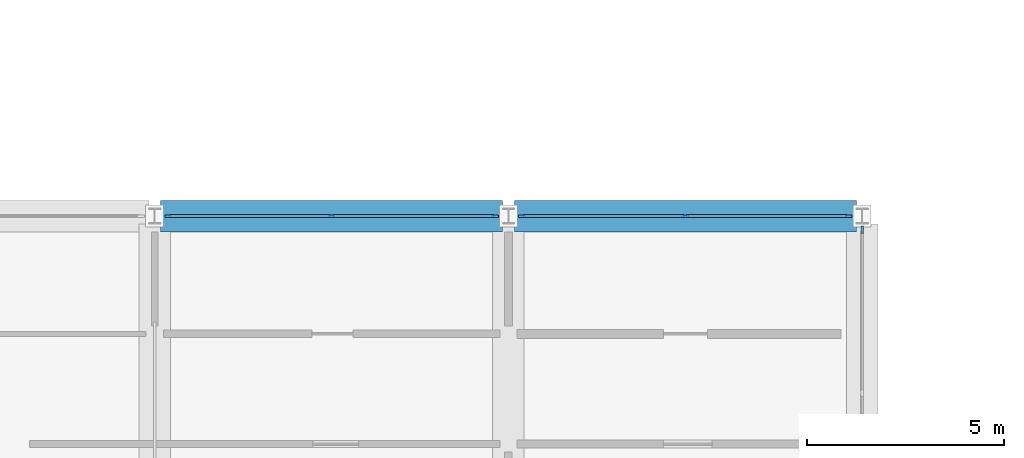
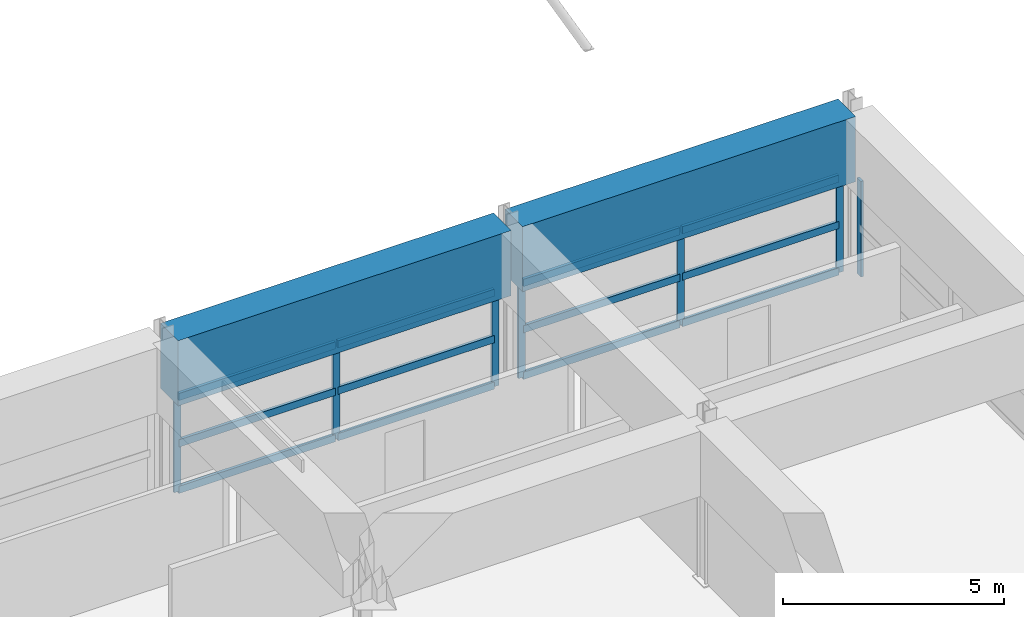
# One storey, part 7 of 56: 19 members, 2 beams, 3 elements without a shape of their own.
"""IFC4 building model written with IfcOpenShell, lengths in metres."""

from ifc_helpers import new_model, si_unit, direction, frame, origin, origin_2d, place, context, subcontext, project, spatial, rectangle, extrude, material, material_profile, profile_set, type_object, element, aggregate, save


model = new_model("IFC4")

# Units and contexts
model_context = context("Model", 3, precision=1e-05, world=origin(), true_north=direction((0.0, 1.0)))
body_context = subcontext(model_context, "Body", "Model", "MODEL_VIEW")
ifc_project = project(units=[si_unit("LENGTHUNIT", "METRE"), si_unit("AREAUNIT", "SQUARE_METRE"), si_unit("VOLUMEUNIT", "CUBIC_METRE"), si_unit("PLANEANGLEUNIT", "RADIAN"), si_unit("MASSUNIT", "GRAM", prefix="KILO")], contexts=[model_context])

# Site, building, storey
site_placement = place(None, origin())
site = spatial("IfcSite", under=ifc_project, at=site_placement, CompositionType="ELEMENT")
building_placement = place(site_placement, origin())
building = spatial("IfcBuilding", under=site, at=building_placement, Name="Bozkorgan Art Gallery", CompositionType="ELEMENT")
storey_placement = place(building_placement, frame((0.0, 0.0, 24.0)))
storey = spatial("IfcBuildingStorey", under=building, at=storey_placement, Name="L05", CompositionType="ELEMENT", Elevation=24.0)

# Beams
ifc_material_1 = material(Name="Concrete C35/45", Category="concrete")
ifc_material_profile_1 = material_profile(ifc_material_1, rectangle(XDim=0.800048828125, YDim=1.800048828125, at=origin_2d()), Name="RC 800x1800")
ifc_profile_set_1 = profile_set([ifc_material_profile_1], Name="Concrete C35/45")
beam_type = type_object("IfcBeamType", Name="BEAM-BM-77", PredefinedType="BEAM", material=ifc_profile_set_1)
for number, where, z_axis, x_axis, name in (
    (1, (47.14990234375, 20.0, 3.580078125), (1.0, 0.0, 0.0), (0.0, 1.0, 0.0), "V1 L05 beam X (47-56, 20.0)"),
    (2, (56.14990234375, 20.0, 3.580078125), (1.0, 0.0, 0.0), (0.0, 1.0, 0.0), "V1 L05 beam X (56-65, 20.0)"),
):
    element("IfcBeam", number, at=place(storey_placement, frame(where, z_axis=z_axis, x_axis=x_axis)), inside=storey, type_object=beam_type, Name=name, PredefinedType="BEAM", context=body_context, shape_type="SweptSolid", body=[
        extrude(rectangle(XDim=0.800048828125, YDim=1.800048828125, at=origin_2d()), origin(), (0.0, 0.0, 1.0), 8.7001953125),
    ])

# Curtain wall, members
ifc_material_2 = material(Name="Anodised Bronze Aluminium", Category="aluminium")
curtain_wall_type = type_object("IfcCurtainWallType", Name="CW-CW-23", PredefinedType="NOTDEFINED", material=ifc_material_2)
curtain_wall_1_placement = place(storey_placement, origin())
curtain_wall_1 = element("IfcCurtainWall", 3, at=curtain_wall_1_placement, inside=storey, type_object=curtain_wall_type, Name="L05 unitised curtain wall CW-V1-L05-1N-12", PredefinedType="NOTDEFINED")
ifc_material_profile_2 = material_profile(ifc_material_2, rectangle(XDim=0.06494140625, YDim=0.179931640625, at=origin_2d()), Name="ALU MULLION 65x180")
ifc_profile_set_2 = profile_set([ifc_material_profile_2], Name="Anodised Bronze Aluminium")
member_type_1 = type_object("IfcMemberType", Name="CWM-01", PredefinedType="MULLION", material=ifc_profile_set_2)
member_1_placement = place(storey_placement, frame((47.347412109375, 20.0, 0.02001953125), z_axis=(0.0, 0.0, 1.0), x_axis=(0.0, 1.0, 0.0)))
member_1 = element("IfcMember", 4, at=member_1_placement, type_object=member_type_1, Name="CW-23 mullion 1", PredefinedType="MULLION", context=body_context, shape_type="SweptSolid", body=[
    extrude(rectangle(XDim=0.06494140625, YDim=0.179931640625, at=origin_2d()), origin(), (0.0, 0.0, 1.0), 2.64501953125),
])
member_2_placement = place(storey_placement, frame((51.5, 20.0, 0.02001953125), z_axis=(0.0, 0.0, 1.0), x_axis=(0.0, 1.0, 0.0)))
member_2 = element("IfcMember", 5, at=member_2_placement, type_object=member_type_1, Name="CW-23 mullion 2", PredefinedType="MULLION", context=body_context, shape_type="SweptSolid", body=[
    extrude(rectangle(XDim=0.06494140625, YDim=0.179931640625, at=origin_2d()), origin(), (0.0, 0.0, 1.0), 2.64501953125),
])
member_3_placement = place(storey_placement, frame((55.652587890625, 20.0, 0.02001953125), z_axis=(0.0, 0.0, 1.0), x_axis=(0.0, 1.0, 0.0)))
member_3 = element("IfcMember", 6, at=member_3_placement, type_object=member_type_1, Name="CW-23 mullion 3", PredefinedType="MULLION", context=body_context, shape_type="SweptSolid", body=[
    extrude(rectangle(XDim=0.06494140625, YDim=0.179931640625, at=origin_2d()), origin(), (0.0, 0.0, 1.0), 2.64501953125),
])

curtain_wall_2_placement = place(storey_placement, origin())
curtain_wall_2 = element("IfcCurtainWall", 7, at=curtain_wall_2_placement, inside=storey, type_object=curtain_wall_type, Name="L05 unitised curtain wall CW-V1-L05-1N-14", PredefinedType="NOTDEFINED")
member_4_placement = place(storey_placement, frame((56.347412109375, 20.0, 0.02001953125), z_axis=(0.0, 0.0, 1.0), x_axis=(0.0, 1.0, 0.0)))
member_4 = element("IfcMember", 8, at=member_4_placement, type_object=member_type_1, Name="CW-23 mullion 1", PredefinedType="MULLION", context=body_context, shape_type="SweptSolid", body=[
    extrude(rectangle(XDim=0.06494140625, YDim=0.179931640625, at=origin_2d()), origin(), (0.0, 0.0, 1.0), 2.64501953125),
])
member_5_placement = place(storey_placement, frame((60.5, 20.0, 0.02001953125), z_axis=(0.0, 0.0, 1.0), x_axis=(0.0, 1.0, 0.0)))
member_5 = element("IfcMember", 9, at=member_5_placement, type_object=member_type_1, Name="CW-23 mullion 2", PredefinedType="MULLION", context=body_context, shape_type="SweptSolid", body=[
    extrude(rectangle(XDim=0.06494140625, YDim=0.179931640625, at=origin_2d()), origin(), (0.0, 0.0, 1.0), 2.64501953125),
])
member_6_placement = place(storey_placement, frame((64.652587890625, 20.0, 0.02001953125), z_axis=(0.0, 0.0, 1.0), x_axis=(0.0, 1.0, 0.0)))
member_6 = element("IfcMember", 10, at=member_6_placement, type_object=member_type_1, Name="CW-23 mullion 3", PredefinedType="MULLION", context=body_context, shape_type="SweptSolid", body=[
    extrude(rectangle(XDim=0.06494140625, YDim=0.179931640625, at=origin_2d()), origin(), (0.0, 0.0, 1.0), 2.64501953125),
])

# Curtain wall, member
curtain_wall_3_placement = place(storey_placement, origin())
curtain_wall_3 = element("IfcCurtainWall", 11, at=curtain_wall_3_placement, inside=storey, type_object=curtain_wall_type, Name="L05 unitised curtain wall CW-V1-L05-1E-18", PredefinedType="NOTDEFINED")
member_7_placement = place(storey_placement, frame((65.0, 19.652587890625, 0.02001953125), z_axis=(0.0, 0.0, 1.0), x_axis=(-1.0, 0.0, 0.0)))
member_7 = element("IfcMember", 12, at=member_7_placement, type_object=member_type_1, Name="CW-23 mullion 3", PredefinedType="MULLION", context=body_context, shape_type="SweptSolid", body=[
    extrude(rectangle(XDim=0.06494140625, YDim=0.179931640625, at=origin_2d()), origin(), (0.0, 0.0, 1.0), 2.64501953125),
])
aggregate(curtain_wall_3, [member_7])

# Member
ifc_material_profile_3 = material_profile(ifc_material_2, rectangle(XDim=0.080078125, YDim=0.199951171875, at=origin_2d()), Name="ALU TRANSOM 80x200")
ifc_profile_set_3 = profile_set([ifc_material_profile_3], Name="Anodised Bronze Aluminium")
member_type_2 = type_object("IfcMemberType", Name="CWT-03", PredefinedType="USERDEFINED", material=ifc_profile_set_3)
member_8_placement = place(storey_placement, frame((47.3798828125, 20.0, 0.06005859375), z_axis=(1.0, 0.0, 0.0), x_axis=(0.0, 1.0, 0.0)))
member_8 = element("IfcMember", 13, at=member_8_placement, type_object=member_type_2, Name="CW-23 transom 1.1", ObjectType="TRANSOM", PredefinedType="USERDEFINED", context=body_context, shape_type="SweptSolid", body=[
    extrude(rectangle(XDim=0.080078125, YDim=0.199951171875, at=origin_2d()), origin(), (0.0, 0.0, 1.0), 4.087646484375),
])

member_9_placement = place(storey_placement, frame((47.3798828125, 20.0, 1.343017578125), z_axis=(1.0, 0.0, 0.0), x_axis=(0.0, 1.0, 0.0)))
member_9 = element("IfcMember", 14, at=member_9_placement, type_object=member_type_2, Name="CW-23 transom 1.2", ObjectType="TRANSOM", PredefinedType="USERDEFINED", context=body_context, shape_type="SweptSolid", body=[
    extrude(rectangle(XDim=0.080078125, YDim=0.199951171875, at=origin_2d()), origin(), (0.0, 0.0, 1.0), 4.087646484375),
])

member_10_placement = place(storey_placement, frame((47.3798828125, 20.0, 2.625), z_axis=(1.0, 0.0, 0.0), x_axis=(0.0, 1.0, 0.0)))
member_10 = element("IfcMember", 15, at=member_10_placement, type_object=member_type_2, Name="CW-23 transom 1.3", ObjectType="TRANSOM", PredefinedType="USERDEFINED", context=body_context, shape_type="SweptSolid", body=[
    extrude(rectangle(XDim=0.080078125, YDim=0.199951171875, at=origin_2d()), origin(), (0.0, 0.0, 1.0), 4.087646484375),
])

member_11_placement = place(storey_placement, frame((51.532470703125, 20.0, 0.06005859375), z_axis=(1.0, 0.0, 0.0), x_axis=(0.0, 1.0, 0.0)))
member_11 = element("IfcMember", 16, at=member_11_placement, type_object=member_type_2, Name="CW-23 transom 2.1", ObjectType="TRANSOM", PredefinedType="USERDEFINED", context=body_context, shape_type="SweptSolid", body=[
    extrude(rectangle(XDim=0.080078125, YDim=0.199951171875, at=origin_2d()), origin(), (0.0, 0.0, 1.0), 4.087646484375),
])

member_12_placement = place(storey_placement, frame((51.532470703125, 20.0, 1.343017578125), z_axis=(1.0, 0.0, 0.0), x_axis=(0.0, 1.0, 0.0)))
member_12 = element("IfcMember", 17, at=member_12_placement, type_object=member_type_2, Name="CW-23 transom 2.2", ObjectType="TRANSOM", PredefinedType="USERDEFINED", context=body_context, shape_type="SweptSolid", body=[
    extrude(rectangle(XDim=0.080078125, YDim=0.199951171875, at=origin_2d()), origin(), (0.0, 0.0, 1.0), 4.087646484375),
])

member_13_placement = place(storey_placement, frame((51.532470703125, 20.0, 2.625), z_axis=(1.0, 0.0, 0.0), x_axis=(0.0, 1.0, 0.0)))
member_13 = element("IfcMember", 18, at=member_13_placement, type_object=member_type_2, Name="CW-23 transom 2.3", ObjectType="TRANSOM", PredefinedType="USERDEFINED", context=body_context, shape_type="SweptSolid", body=[
    extrude(rectangle(XDim=0.080078125, YDim=0.199951171875, at=origin_2d()), origin(), (0.0, 0.0, 1.0), 4.087646484375),
])

aggregate(curtain_wall_1, [member_1, member_2, member_3, member_8, member_9, member_10, member_11, member_12, member_13])

member_14_placement = place(storey_placement, frame((56.3798828125, 20.0, 0.06005859375), z_axis=(1.0, 0.0, 0.0), x_axis=(0.0, 1.0, 0.0)))
member_14 = element("IfcMember", 19, at=member_14_placement, type_object=member_type_2, Name="CW-23 transom 1.1", ObjectType="TRANSOM", PredefinedType="USERDEFINED", context=body_context, shape_type="SweptSolid", body=[
    extrude(rectangle(XDim=0.080078125, YDim=0.199951171875, at=origin_2d()), origin(), (0.0, 0.0, 1.0), 4.087646484375),
])

member_15_placement = place(storey_placement, frame((56.3798828125, 20.0, 1.343017578125), z_axis=(1.0, 0.0, 0.0), x_axis=(0.0, 1.0, 0.0)))
member_15 = element("IfcMember", 20, at=member_15_placement, type_object=member_type_2, Name="CW-23 transom 1.2", ObjectType="TRANSOM", PredefinedType="USERDEFINED", context=body_context, shape_type="SweptSolid", body=[
    extrude(rectangle(XDim=0.080078125, YDim=0.199951171875, at=origin_2d()), origin(), (0.0, 0.0, 1.0), 4.087646484375),
])

member_16_placement = place(storey_placement, frame((56.3798828125, 20.0, 2.625), z_axis=(1.0, 0.0, 0.0), x_axis=(0.0, 1.0, 0.0)))
member_16 = element("IfcMember", 21, at=member_16_placement, type_object=member_type_2, Name="CW-23 transom 1.3", ObjectType="TRANSOM", PredefinedType="USERDEFINED", context=body_context, shape_type="SweptSolid", body=[
    extrude(rectangle(XDim=0.080078125, YDim=0.199951171875, at=origin_2d()), origin(), (0.0, 0.0, 1.0), 4.087646484375),
])

member_17_placement = place(storey_placement, frame((60.532470703125, 20.0, 0.06005859375), z_axis=(1.0, 0.0, 0.0), x_axis=(0.0, 1.0, 0.0)))
member_17 = element("IfcMember", 22, at=member_17_placement, type_object=member_type_2, Name="CW-23 transom 2.1", ObjectType="TRANSOM", PredefinedType="USERDEFINED", context=body_context, shape_type="SweptSolid", body=[
    extrude(rectangle(XDim=0.080078125, YDim=0.199951171875, at=origin_2d()), origin(), (0.0, 0.0, 1.0), 4.087646484375),
])

member_18_placement = place(storey_placement, frame((60.532470703125, 20.0, 1.343017578125), z_axis=(1.0, 0.0, 0.0), x_axis=(0.0, 1.0, 0.0)))
member_18 = element("IfcMember", 23, at=member_18_placement, type_object=member_type_2, Name="CW-23 transom 2.2", ObjectType="TRANSOM", PredefinedType="USERDEFINED", context=body_context, shape_type="SweptSolid", body=[
    extrude(rectangle(XDim=0.080078125, YDim=0.199951171875, at=origin_2d()), origin(), (0.0, 0.0, 1.0), 4.087646484375),
])

member_19_placement = place(storey_placement, frame((60.532470703125, 20.0, 2.625), z_axis=(1.0, 0.0, 0.0), x_axis=(0.0, 1.0, 0.0)))
member_19 = element("IfcMember", 24, at=member_19_placement, type_object=member_type_2, Name="CW-23 transom 2.3", ObjectType="TRANSOM", PredefinedType="USERDEFINED", context=body_context, shape_type="SweptSolid", body=[
    extrude(rectangle(XDim=0.080078125, YDim=0.199951171875, at=origin_2d()), origin(), (0.0, 0.0, 1.0), 4.087646484375),
])

aggregate(curtain_wall_2, [member_4, member_5, member_6, member_14, member_15, member_16, member_17, member_18, member_19])

save(model, "model.ifc")
